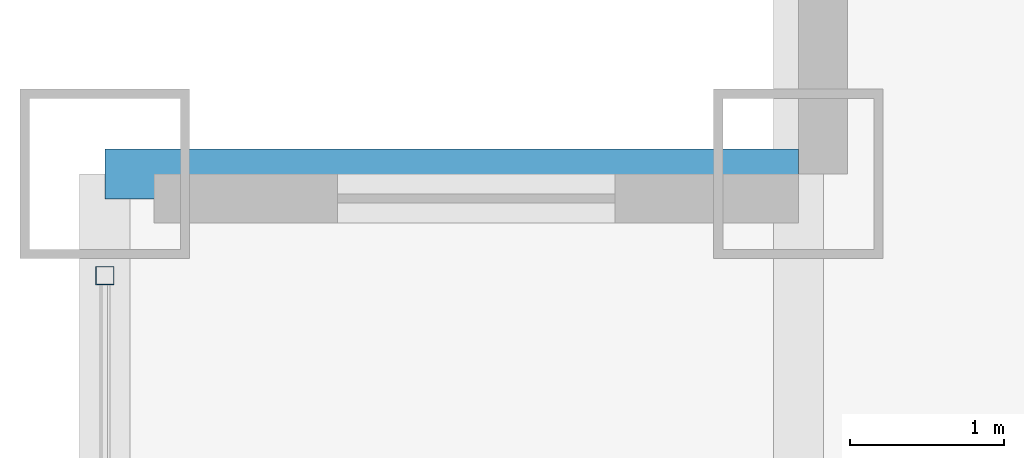
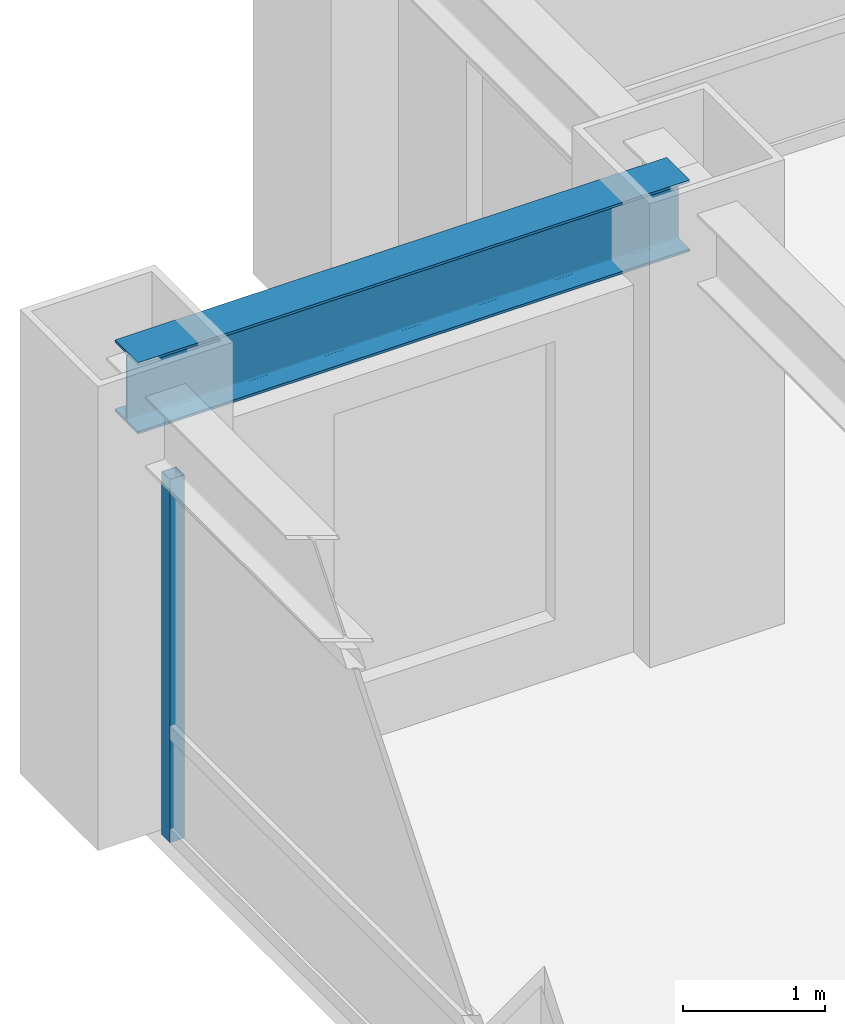
# One storey, part 12 of 28: 1 beam, 1 member, 1 element without a shape of its own.
"""IFC4 building model written with IfcOpenShell, lengths in metres."""

from ifc_helpers import new_model, si_unit, direction, frame, origin, origin_2d, place, context, subcontext, project, spatial, hollow_rectangle, i_section, extrude, source, transform, mapped, material, material_profile, profile_set, type_object, element, aggregate, save


model = new_model("IFC4")

# Units and contexts
model_context = context("Model", 3, precision=1e-05, world=origin(), true_north=direction((0.0, 1.0)))
body_context = subcontext(model_context, "Body", "Model", "MODEL_VIEW")
ifc_project = project(units=[si_unit("LENGTHUNIT", "METRE"), si_unit("AREAUNIT", "SQUARE_METRE"), si_unit("VOLUMEUNIT", "CUBIC_METRE"), si_unit("PLANEANGLEUNIT", "RADIAN"), si_unit("MASSUNIT", "GRAM", prefix="KILO")], contexts=[model_context])

# Site, building, storey
site_placement = place(None, origin())
site = spatial("IfcSite", under=ifc_project, at=site_placement, CompositionType="ELEMENT")
building_placement = place(site_placement, origin())
building = spatial("IfcBuilding", under=site, at=building_placement, Name="Khorayat Bourse Tower", CompositionType="ELEMENT")
storey_placement = place(building_placement, frame((0.0, 0.0, 187.10009765625)))
storey = spatial("IfcBuildingStorey", under=building, at=storey_placement, Name="L43", CompositionType="ELEMENT", Elevation=187.10009765625)

# Beam
ifc_material_1 = material(Name="Steel ASTM A992 Grade 50", Category="steel")
ifc_material_profile_1 = material_profile(ifc_material_1, i_section(OverallWidth=0.324951171875, OverallDepth=0.615966796875, WebThickness=0.013916015625, FlangeThickness=0.021484375, FilletRadius=0.01611328125, at=origin_2d()), Name="W610X174")
ifc_profile_set_1 = profile_set([ifc_material_profile_1], Name="Steel ASTM A992 Grade 50")
beam_type = type_object("IfcBeamType", Name="BM-SPAN-610", PredefinedType="SPANDREL", material=ifc_profile_set_1)
shared_shape_1 = source(origin(), body_context, "Body", "SweptSolid", [
    extrude(i_section(OverallWidth=0.324951171875, OverallDepth=0.615966796875, WebThickness=0.013916015625, FlangeThickness=0.021484375, FilletRadius=0.01611328125, at=origin_2d()), origin(), (0.0, 0.0, 1.0), 4.5),
])
beam_placement = place(storey_placement, frame((-30.0, 25.5, 3.471923828125), z_axis=(1.0, 0.0, 0.0), x_axis=(0.0, 1.0, 0.0)))
element("IfcBeam", 1, at=beam_placement, inside=storey, type_object=beam_type, Name="L43 BM-SPAN-610 BM-L43-SPN-053", PredefinedType="SPANDREL", context=body_context, shape_type="MappedRepresentation", body=[
    mapped(shared_shape_1, transform((0.0, 0.0, 0.0), scale=1.0)),
])

# Curtain wall, member
ifc_material_2 = material(Name="Aluminium EN AW-6063 T6", Category="aluminium")
curtain_wall_type = type_object("IfcCurtainWallType", Name="CW-SYS-03", PredefinedType="NOTDEFINED", material=ifc_material_2)
curtain_wall_placement = place(storey_placement, origin())
curtain_wall = element("IfcCurtainWall", 2, at=curtain_wall_placement, inside=storey, type_object=curtain_wall_type, Name="L43 Curtain Wall CW-L43-W1", PredefinedType="NOTDEFINED")
ifc_material_profile_2 = material_profile(ifc_material_2, hollow_rectangle(XDim=0.1201171875, YDim=0.1201171875, WallThickness=0.0048828125, at=origin_2d()), Name="ALU 120x120x5")
ifc_profile_set_2 = profile_set([ifc_material_profile_2], Name="Aluminium EN AW-6063 T6")
member_type = type_object("IfcMemberType", Name="CWM-VERT-120", PredefinedType="MULLION", material=ifc_profile_set_2)
shared_shape_2 = source(origin(), body_context, "Body", "SweptSolid", [
    extrude(hollow_rectangle(XDim=0.1201171875, YDim=0.1201171875, WallThickness=0.0048828125, at=origin_2d()), origin(), (0.0, 0.0, 1.0), 3.1298828125),
])
member_placement = place(storey_placement, frame((-30.0, 24.840087890625, 0.0), z_axis=(0.0, 0.0, 1.0), x_axis=(-1.0, 0.0, 0.0)))
member = element("IfcMember", 3, at=member_placement, type_object=member_type, Name="CW-L43-W1 Vertical Mullion 3", PredefinedType="MULLION", context=body_context, shape_type="MappedRepresentation", body=[
    mapped(shared_shape_2, transform((0.0, 0.0, 0.0), scale=1.0)),
])
aggregate(curtain_wall, [member])

save(model, "model.ifc")
